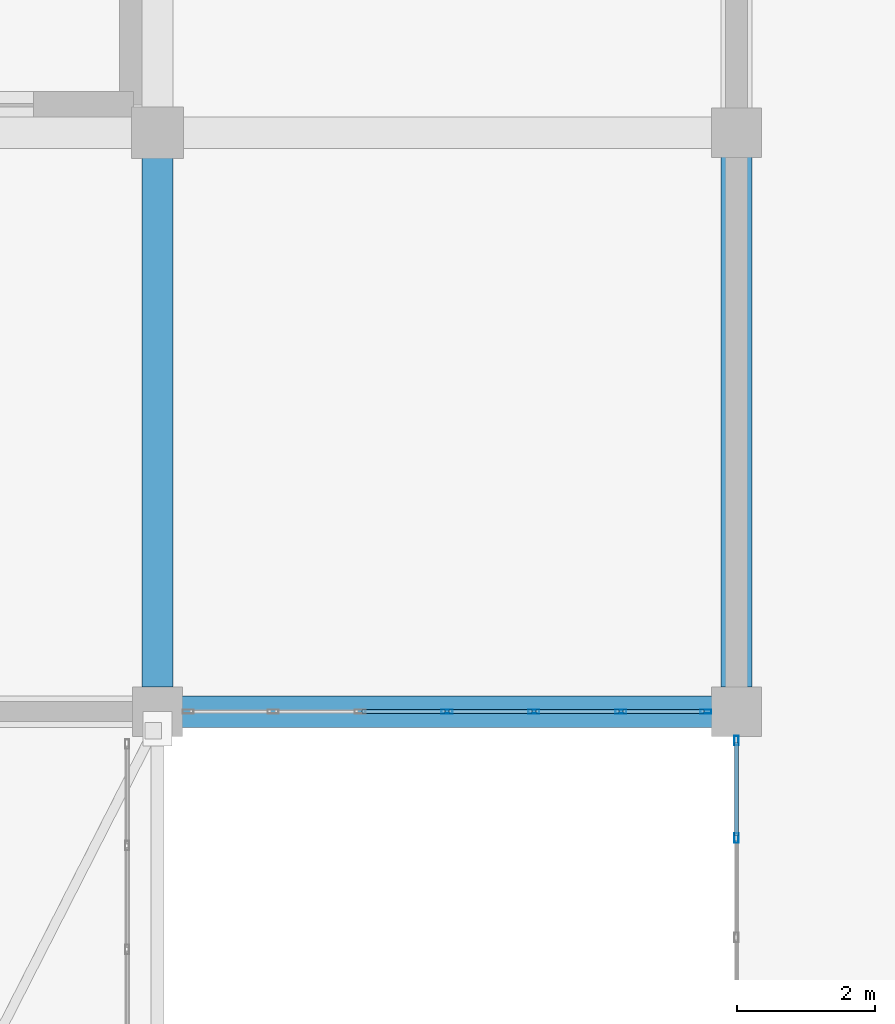
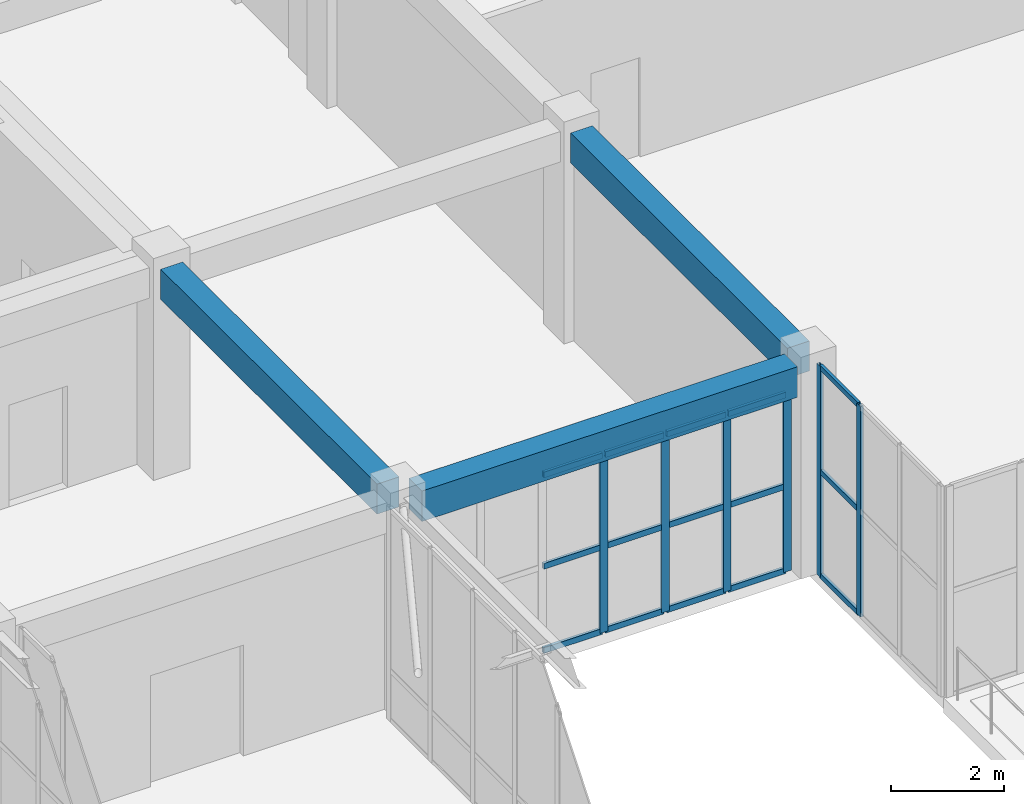
# One storey, part 45 of 158: 21 members, 3 beams, 2 elements without a shape of their own.
"""IFC4 building model written with IfcOpenShell, lengths in metres."""

from ifc_helpers import new_model, si_unit, direction, frame, origin, origin_2d, place, context, subcontext, project, spatial, rectangle, hollow_rectangle, extrude, material, layer, layer_set, material_profile, profile_set, type_object, element, aggregate, save


model = new_model("IFC4")

# Units and contexts
model_context = context("Model", 3, precision=1e-05, world=origin(), true_north=direction((0.0, 1.0)))
body_context = subcontext(model_context, "Body", "Model", "MODEL_VIEW")
ifc_project = project(units=[si_unit("LENGTHUNIT", "METRE"), si_unit("AREAUNIT", "SQUARE_METRE"), si_unit("VOLUMEUNIT", "CUBIC_METRE"), si_unit("PLANEANGLEUNIT", "RADIAN"), si_unit("MASSUNIT", "GRAM", prefix="KILO")], contexts=[model_context])

# Site, building, storey
site_placement = place(None, origin())
site = spatial("IfcSite", under=ifc_project, at=site_placement, CompositionType="ELEMENT")
building_placement = place(site_placement, origin())
building = spatial("IfcBuilding", under=site, at=building_placement, Name="Trelvath General Hospital", CompositionType="ELEMENT")
storey_placement = place(building_placement, frame((0.0, 0.0, 8.10009765625)))
storey = spatial("IfcBuildingStorey", under=building, at=storey_placement, Name="L02", CompositionType="ELEMENT", Elevation=8.10009765625)

# Beams
ifc_material_1 = material(Name="Concrete C35/45", Category="concrete")
ifc_material_profile_1 = material_profile(ifc_material_1, rectangle(XDim=0.449951171875, YDim=0.64990234375, at=origin_2d()), Name="RCB450x650")
ifc_profile_set_1 = profile_set([ifc_material_profile_1], Name="Concrete C35/45")
beam_type_1 = type_object("IfcBeamType", Name="Beam RC450x650", PredefinedType="BEAM", material=ifc_profile_set_1)
beam_1_placement = place(storey_placement, frame((84.0, 42.35498046875, 4.19482421875), z_axis=(0.0, 1.0, 0.0), x_axis=(-1.0, 0.0, 0.0)))
element("IfcBeam", 1, at=beam_1_placement, inside=storey, type_object=beam_type_1, Name="Grid Beam BY-210F", PredefinedType="BEAM", context=body_context, shape_type="SweptSolid", body=[
    extrude(rectangle(XDim=0.449951171875, YDim=0.64990234375, at=origin_2d()), origin(), (0.0, 0.0, 1.0), 7.675048828125),
])
beam_2_placement = place(storey_placement, frame((92.39990234375, 42.35498046875, 4.19482421875), z_axis=(0.0, 1.0, 0.0), x_axis=(-1.0, 0.0, 0.0)))
element("IfcBeam", 2, at=beam_2_placement, inside=storey, type_object=beam_type_1, Name="Grid Beam BY-211F", PredefinedType="BEAM", context=body_context, shape_type="SweptSolid", body=[
    extrude(rectangle(XDim=0.449951171875, YDim=0.64990234375, at=origin_2d()), origin(), (0.0, 0.0, 1.0), 7.68994140625),
])
ifc_material_2 = material(Name="Concrete C35/45", Category="concrete")
ifc_material_profile_2 = material_profile(ifc_material_2, rectangle(XDim=0.4599609375, YDim=0.659912109375, at=origin_2d()), Name="RCB460x660")
ifc_profile_set_2 = profile_set([ifc_material_profile_2], Name="Concrete C35/45")
beam_type_2 = type_object("IfcBeamType", Name="Beam RC460x660", PredefinedType="BEAM", material=ifc_profile_set_2)
beam_3_placement = place(storey_placement, frame((84.35498046875, 42.0, 4.18994140625), z_axis=(1.0, 0.0, 0.0), x_axis=(0.0, 1.0, 0.0)))
element("IfcBeam", 3, at=beam_3_placement, inside=storey, type_object=beam_type_2, Name="Grid Beam BX-210F", PredefinedType="BEAM", context=body_context, shape_type="SweptSolid", body=[
    extrude(rectangle(XDim=0.4599609375, YDim=0.659912109375, at=origin_2d()), origin(), (0.0, 0.0, 1.0), 7.68994140625),
])

# Curtain wall, members
ifc_material_3 = material(Name="Anodised aluminium and low-E glass", Category="aluminium")
ifc_layer_1 = layer(ifc_material_3, 0.139892578125)
ifc_layer_set_1 = layer_set([ifc_layer_1], Name="Anodised aluminium and low-E glass")
curtain_wall_type_1 = type_object("IfcCurtainWallType", Name="CW CrystalCube 433 456 14", PredefinedType="USERDEFINED", material=ifc_layer_set_1)
curtain_wall_1_placement = place(storey_placement, origin())
curtain_wall_1 = element("IfcCurtainWall", 4, at=curtain_wall_1_placement, inside=storey, type_object=curtain_wall_type_1, Name="Crystal Cube Curtain Wall CUBE-E-T1 W1 L02", ObjectType="Unitised Glazed Curtain Wall", PredefinedType="USERDEFINED")
ifc_material_4 = material(Name="Anodised aluminium", Category="aluminium")
ifc_material_profile_3 = material_profile(ifc_material_4, hollow_rectangle(XDim=0.06005859375, YDim=0.139892578125, WallThickness=0.00390625, at=origin_2d()), Name="RHS60x140x4")
ifc_profile_set_3 = profile_set([ifc_material_profile_3], Name="Anodised aluminium")
member_type_1 = type_object("IfcMemberType", Name="CurtainMullion 60x140", PredefinedType="MULLION", material=ifc_profile_set_3)
member_1_placement = place(storey_placement, frame((92.39990234375, 40.166748046875, 0.0), z_axis=(0.0, 0.0, 1.0), x_axis=(-1.0, 0.0, 0.0)))
member_1 = element("IfcMember", 5, at=member_1_placement, type_object=member_type_1, Name="CW-212 mullion 3", PredefinedType="MULLION", context=body_context, shape_type="SweptSolid", body=[
    extrude(hollow_rectangle(XDim=0.06005859375, YDim=0.139892578125, WallThickness=0.00390625, at=origin_2d()), origin(), (0.0, 0.0, 1.0), 4.559814453125),
])
member_2_placement = place(storey_placement, frame((92.39990234375, 41.580078125, 0.0), z_axis=(0.0, 0.0, 1.0), x_axis=(-1.0, 0.0, 0.0)))
member_2 = element("IfcMember", 6, at=member_2_placement, type_object=member_type_1, Name="CW-212 mullion 4", PredefinedType="MULLION", context=body_context, shape_type="SweptSolid", body=[
    extrude(hollow_rectangle(XDim=0.06005859375, YDim=0.139892578125, WallThickness=0.00390625, at=origin_2d()), origin(), (0.0, 0.0, 1.0), 4.559814453125),
])

ifc_material_5 = material(Name="Anodised aluminium and low-E glass", Category="aluminium")
ifc_layer_2 = layer(ifc_material_5, 0.159912109375)
ifc_layer_set_2 = layer_set([ifc_layer_2], Name="Anodised aluminium and low-E glass")
curtain_wall_type_2 = type_object("IfcCurtainWallType", Name="CW Facade 757 386 16", PredefinedType="USERDEFINED", material=ifc_layer_set_2)
curtain_wall_2_placement = place(storey_placement, origin())
curtain_wall_2 = element("IfcCurtainWall", 7, at=curtain_wall_2_placement, inside=storey, type_object=curtain_wall_type_2, Name="Facade Curtain Wall CW-042", ObjectType="Unitised Glazed Curtain Wall", PredefinedType="USERDEFINED")
ifc_material_6 = material(Name="Anodised aluminium", Category="aluminium")
ifc_material_profile_4 = material_profile(ifc_material_6, hollow_rectangle(XDim=0.06005859375, YDim=0.159912109375, WallThickness=0.00390625, at=origin_2d()), Name="RHS60x160x4")
ifc_profile_set_4 = profile_set([ifc_material_profile_4], Name="Anodised aluminium")
member_type_2 = type_object("IfcMemberType", Name="CurtainMullion 60x160", PredefinedType="MULLION", material=ifc_profile_set_4)
member_3_placement = place(storey_placement, frame((91.955078125, 42.0, 0.0), z_axis=(0.0, 0.0, 1.0), x_axis=(0.0, -1.0, 0.0)))
member_3 = element("IfcMember", 8, at=member_3_placement, type_object=member_type_2, Name="CW-042 mullion 1", PredefinedType="MULLION", context=body_context, shape_type="SweptSolid", body=[
    extrude(hollow_rectangle(XDim=0.06005859375, YDim=0.159912109375, WallThickness=0.00390625, at=origin_2d()), origin(), (0.0, 0.0, 1.0), 3.85986328125),
])
member_4_placement = place(storey_placement, frame((90.723388671875, 42.0, 0.0), z_axis=(0.0, 0.0, 1.0), x_axis=(0.0, -1.0, 0.0)))
member_4 = element("IfcMember", 9, at=member_4_placement, type_object=member_type_2, Name="CW-042 mullion 2", PredefinedType="MULLION", context=body_context, shape_type="SweptSolid", body=[
    extrude(hollow_rectangle(XDim=0.06005859375, YDim=0.159912109375, WallThickness=0.00390625, at=origin_2d()), origin(), (0.0, 0.0, 1.0), 3.85986328125),
])
member_5_placement = place(storey_placement, frame((89.461669921875, 42.0, 0.0), z_axis=(0.0, 0.0, 1.0), x_axis=(0.0, -1.0, 0.0)))
member_5 = element("IfcMember", 10, at=member_5_placement, type_object=member_type_2, Name="CW-042 mullion 3", PredefinedType="MULLION", context=body_context, shape_type="SweptSolid", body=[
    extrude(hollow_rectangle(XDim=0.06005859375, YDim=0.159912109375, WallThickness=0.00390625, at=origin_2d()), origin(), (0.0, 0.0, 1.0), 3.85986328125),
])
member_6_placement = place(storey_placement, frame((88.199951171875, 42.0, 0.0), z_axis=(0.0, 0.0, 1.0), x_axis=(0.0, -1.0, 0.0)))
member_6 = element("IfcMember", 11, at=member_6_placement, type_object=member_type_2, Name="CW-042 mullion 4", PredefinedType="MULLION", context=body_context, shape_type="SweptSolid", body=[
    extrude(hollow_rectangle(XDim=0.06005859375, YDim=0.159912109375, WallThickness=0.00390625, at=origin_2d()), origin(), (0.0, 0.0, 1.0), 3.85986328125),
])

# Member
ifc_material_7 = material(Name="Anodised aluminium", Category="aluminium")
ifc_material_profile_5 = material_profile(ifc_material_7, hollow_rectangle(XDim=0.06005859375, YDim=0.110107421875, WallThickness=0.00390625, at=origin_2d()), Name="RHS60x110x4")
ifc_profile_set_5 = profile_set([ifc_material_profile_5], Name="Anodised aluminium")
member_type_3 = type_object("IfcMemberType", Name="CurtainTransom 60x110", PredefinedType="USERDEFINED", material=ifc_profile_set_5)
member_7_placement = place(storey_placement, frame((92.39990234375, 40.19677734375, 0.02978515625), z_axis=(0.0, 1.0, 0.0), x_axis=(-1.0, 0.0, 0.0)))
member_7 = element("IfcMember", 12, at=member_7_placement, type_object=member_type_3, Name="CW-212 transom 3.1", ObjectType="TRANSOM", PredefinedType="USERDEFINED", context=body_context, shape_type="SweptSolid", body=[
    extrude(hollow_rectangle(XDim=0.06005859375, YDim=0.110107421875, WallThickness=0.00390625, at=origin_2d()), origin(), (0.0, 0.0, 1.0), 1.353271484375),
])

member_8_placement = place(storey_placement, frame((92.39990234375, 40.19677734375, 2.27978515625), z_axis=(0.0, 1.0, 0.0), x_axis=(-1.0, 0.0, 0.0)))
member_8 = element("IfcMember", 13, at=member_8_placement, type_object=member_type_3, Name="CW-212 transom 3.2", ObjectType="TRANSOM", PredefinedType="USERDEFINED", context=body_context, shape_type="SweptSolid", body=[
    extrude(hollow_rectangle(XDim=0.06005859375, YDim=0.110107421875, WallThickness=0.00390625, at=origin_2d()), origin(), (0.0, 0.0, 1.0), 1.353271484375),
])

member_9_placement = place(storey_placement, frame((92.39990234375, 40.19677734375, 4.52978515625), z_axis=(0.0, 1.0, 0.0), x_axis=(-1.0, 0.0, 0.0)))
member_9 = element("IfcMember", 14, at=member_9_placement, type_object=member_type_3, Name="CW-212 transom 3.3", ObjectType="TRANSOM", PredefinedType="USERDEFINED", context=body_context, shape_type="SweptSolid", body=[
    extrude(hollow_rectangle(XDim=0.06005859375, YDim=0.110107421875, WallThickness=0.00390625, at=origin_2d()), origin(), (0.0, 0.0, 1.0), 1.353271484375),
])

aggregate(curtain_wall_1, [member_1, member_2, member_7, member_8, member_9])

ifc_material_8 = material(Name="Anodised aluminium", Category="aluminium")
ifc_material_profile_6 = material_profile(ifc_material_8, hollow_rectangle(XDim=0.06005859375, YDim=0.125, WallThickness=0.00390625, at=origin_2d()), Name="RHS60x125x4")
ifc_profile_set_6 = profile_set([ifc_material_profile_6], Name="Anodised aluminium")
member_type_4 = type_object("IfcMemberType", Name="CurtainTransom 60x125", PredefinedType="USERDEFINED", material=ifc_profile_set_6)
member_10_placement = place(storey_placement, frame((91.925048828125, 42.0, 0.02978515625), z_axis=(-1.0, 0.0, 0.0), x_axis=(0.0, -1.0, 0.0)))
member_10 = element("IfcMember", 15, at=member_10_placement, type_object=member_type_4, Name="CW-042 transom 1.1", ObjectType="TRANSOM", PredefinedType="USERDEFINED", context=body_context, shape_type="SweptSolid", body=[
    extrude(hollow_rectangle(XDim=0.06005859375, YDim=0.125, WallThickness=0.00390625, at=origin_2d()), origin(), (0.0, 0.0, 1.0), 1.171630859375),
])

member_11_placement = place(storey_placement, frame((91.925048828125, 42.0, 1.852783203125), z_axis=(-1.0, 0.0, 0.0), x_axis=(0.0, -1.0, 0.0)))
member_11 = element("IfcMember", 16, at=member_11_placement, type_object=member_type_4, Name="CW-042 transom 1.2", ObjectType="TRANSOM", PredefinedType="USERDEFINED", context=body_context, shape_type="SweptSolid", body=[
    extrude(hollow_rectangle(XDim=0.06005859375, YDim=0.125, WallThickness=0.00390625, at=origin_2d()), origin(), (0.0, 0.0, 1.0), 1.171630859375),
])

member_12_placement = place(storey_placement, frame((91.925048828125, 42.0, 3.829833984375), z_axis=(-1.0, 0.0, 0.0), x_axis=(0.0, -1.0, 0.0)))
member_12 = element("IfcMember", 17, at=member_12_placement, type_object=member_type_4, Name="CW-042 transom 1.3", ObjectType="TRANSOM", PredefinedType="USERDEFINED", context=body_context, shape_type="SweptSolid", body=[
    extrude(hollow_rectangle(XDim=0.06005859375, YDim=0.125, WallThickness=0.00390625, at=origin_2d()), origin(), (0.0, 0.0, 1.0), 1.171630859375),
])

member_13_placement = place(storey_placement, frame((90.693359375, 42.0, 0.02978515625), z_axis=(-1.0, 0.0, 0.0), x_axis=(0.0, -1.0, 0.0)))
member_13 = element("IfcMember", 18, at=member_13_placement, type_object=member_type_4, Name="CW-042 transom 2.1", ObjectType="TRANSOM", PredefinedType="USERDEFINED", context=body_context, shape_type="SweptSolid", body=[
    extrude(hollow_rectangle(XDim=0.06005859375, YDim=0.125, WallThickness=0.00390625, at=origin_2d()), origin(), (0.0, 0.0, 1.0), 1.20166015625),
])

member_14_placement = place(storey_placement, frame((90.693359375, 42.0, 1.852783203125), z_axis=(-1.0, 0.0, 0.0), x_axis=(0.0, -1.0, 0.0)))
member_14 = element("IfcMember", 19, at=member_14_placement, type_object=member_type_4, Name="CW-042 transom 2.2", ObjectType="TRANSOM", PredefinedType="USERDEFINED", context=body_context, shape_type="SweptSolid", body=[
    extrude(hollow_rectangle(XDim=0.06005859375, YDim=0.125, WallThickness=0.00390625, at=origin_2d()), origin(), (0.0, 0.0, 1.0), 1.20166015625),
])

member_15_placement = place(storey_placement, frame((90.693359375, 42.0, 3.829833984375), z_axis=(-1.0, 0.0, 0.0), x_axis=(0.0, -1.0, 0.0)))
member_15 = element("IfcMember", 20, at=member_15_placement, type_object=member_type_4, Name="CW-042 transom 2.3", ObjectType="TRANSOM", PredefinedType="USERDEFINED", context=body_context, shape_type="SweptSolid", body=[
    extrude(hollow_rectangle(XDim=0.06005859375, YDim=0.125, WallThickness=0.00390625, at=origin_2d()), origin(), (0.0, 0.0, 1.0), 1.20166015625),
])

member_16_placement = place(storey_placement, frame((89.431640625, 42.0, 0.02978515625), z_axis=(-1.0, 0.0, 0.0), x_axis=(0.0, -1.0, 0.0)))
member_16 = element("IfcMember", 21, at=member_16_placement, type_object=member_type_4, Name="CW-042 transom 3.1", ObjectType="TRANSOM", PredefinedType="USERDEFINED", context=body_context, shape_type="SweptSolid", body=[
    extrude(hollow_rectangle(XDim=0.06005859375, YDim=0.125, WallThickness=0.00390625, at=origin_2d()), origin(), (0.0, 0.0, 1.0), 1.20166015625),
])

member_17_placement = place(storey_placement, frame((89.431640625, 42.0, 1.852783203125), z_axis=(-1.0, 0.0, 0.0), x_axis=(0.0, -1.0, 0.0)))
member_17 = element("IfcMember", 22, at=member_17_placement, type_object=member_type_4, Name="CW-042 transom 3.2", ObjectType="TRANSOM", PredefinedType="USERDEFINED", context=body_context, shape_type="SweptSolid", body=[
    extrude(hollow_rectangle(XDim=0.06005859375, YDim=0.125, WallThickness=0.00390625, at=origin_2d()), origin(), (0.0, 0.0, 1.0), 1.20166015625),
])

member_18_placement = place(storey_placement, frame((89.431640625, 42.0, 3.829833984375), z_axis=(-1.0, 0.0, 0.0), x_axis=(0.0, -1.0, 0.0)))
member_18 = element("IfcMember", 23, at=member_18_placement, type_object=member_type_4, Name="CW-042 transom 3.3", ObjectType="TRANSOM", PredefinedType="USERDEFINED", context=body_context, shape_type="SweptSolid", body=[
    extrude(hollow_rectangle(XDim=0.06005859375, YDim=0.125, WallThickness=0.00390625, at=origin_2d()), origin(), (0.0, 0.0, 1.0), 1.20166015625),
])

member_19_placement = place(storey_placement, frame((88.169921875, 42.0, 0.02978515625), z_axis=(-1.0, 0.0, 0.0), x_axis=(0.0, -1.0, 0.0)))
member_19 = element("IfcMember", 24, at=member_19_placement, type_object=member_type_4, Name="CW-042 transom 4.1", ObjectType="TRANSOM", PredefinedType="USERDEFINED", context=body_context, shape_type="SweptSolid", body=[
    extrude(hollow_rectangle(XDim=0.06005859375, YDim=0.125, WallThickness=0.00390625, at=origin_2d()), origin(), (0.0, 0.0, 1.0), 1.20166015625),
])

member_20_placement = place(storey_placement, frame((88.169921875, 42.0, 1.852783203125), z_axis=(-1.0, 0.0, 0.0), x_axis=(0.0, -1.0, 0.0)))
member_20 = element("IfcMember", 25, at=member_20_placement, type_object=member_type_4, Name="CW-042 transom 4.2", ObjectType="TRANSOM", PredefinedType="USERDEFINED", context=body_context, shape_type="SweptSolid", body=[
    extrude(hollow_rectangle(XDim=0.06005859375, YDim=0.125, WallThickness=0.00390625, at=origin_2d()), origin(), (0.0, 0.0, 1.0), 1.20166015625),
])

member_21_placement = place(storey_placement, frame((88.169921875, 42.0, 3.829833984375), z_axis=(-1.0, 0.0, 0.0), x_axis=(0.0, -1.0, 0.0)))
member_21 = element("IfcMember", 26, at=member_21_placement, type_object=member_type_4, Name="CW-042 transom 4.3", ObjectType="TRANSOM", PredefinedType="USERDEFINED", context=body_context, shape_type="SweptSolid", body=[
    extrude(hollow_rectangle(XDim=0.06005859375, YDim=0.125, WallThickness=0.00390625, at=origin_2d()), origin(), (0.0, 0.0, 1.0), 1.20166015625),
])

aggregate(curtain_wall_2, [member_3, member_4, member_5, member_6, member_10, member_11, member_12, member_13, member_14, member_15, member_16, member_17, member_18, member_19, member_20, member_21])

save(model, "model.ifc")
